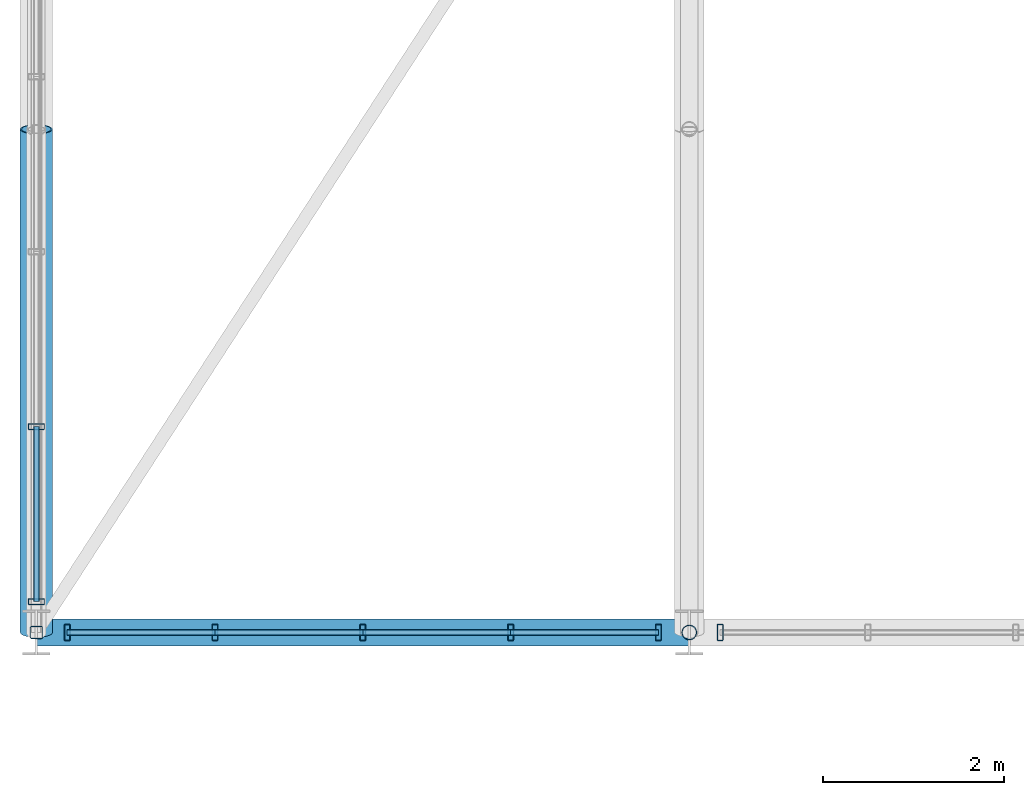
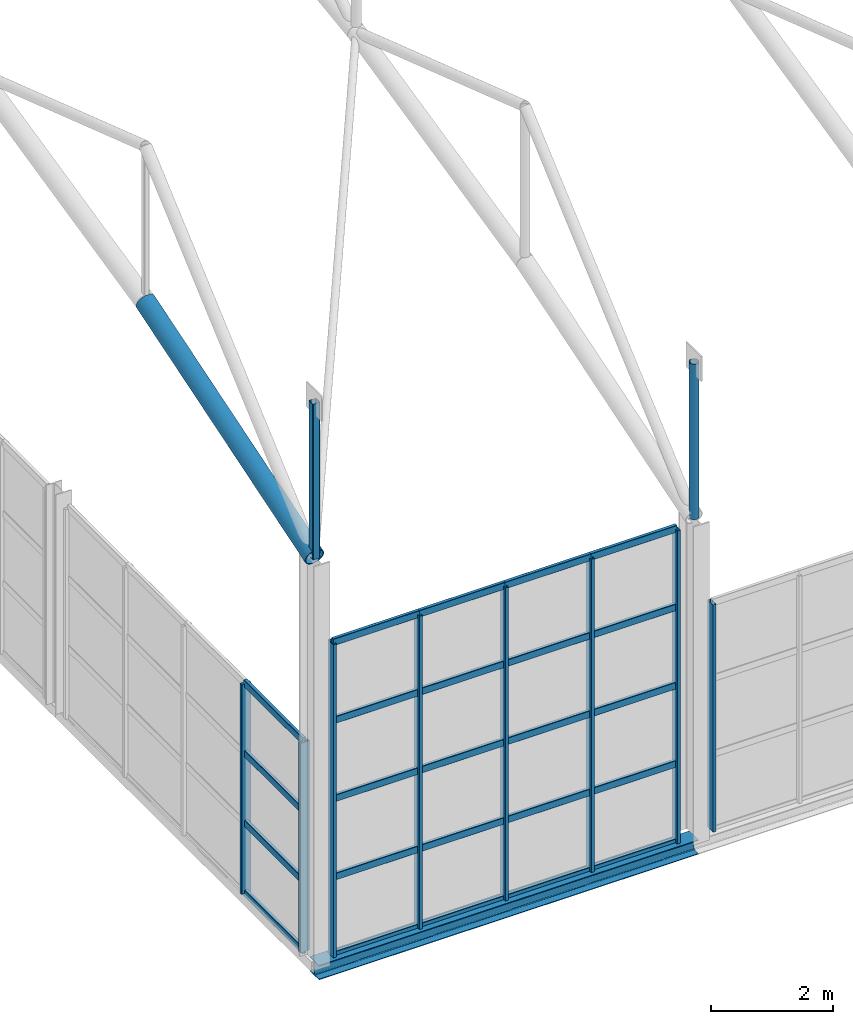
# One storey, part 16 of 153: 35 members, 1 beam, 3 elements without a shape of their own.
"""IFC4 building model written with IfcOpenShell, lengths in metres."""

import ifcopenshell
import ifcopenshell.guid

model = None  # the IFC model being written
_history = None  # IfcOwnerHistory: only IFC2X3 demands one
_inside = {}  # id of a spatial element -> (the spatial element, [elements in it])
_under = {}  # id of a project, library or spatial element -> (it, [spatial elements below it])
_declared = {}  # id of a project -> (the project, [libraries it declares])
_typed = {}  # id of a type object -> (the type object, [elements of that type])
_made_of = {}  # id of a material, layer set ... -> (it, [elements and type objects made of it])


def new_model(schema):
    """Start an empty IFC model of exactly this schema.

    Asked for "IFC4X3", IfcOpenShell would pick the latest addendum, in which some entities
    have other attributes; the version numbers below select the first issue.
    IFC2X3 requires an IfcOwnerHistory on every rooted entity: one is made here for all.
    """
    global model, _history
    if schema == "IFC4X3":
        model = ifcopenshell.file(schema_version=(4, 3, 0, 0))
    else:
        model = ifcopenshell.file(schema=schema)
    _inside.clear()
    _under.clear()
    _declared.clear()
    _typed.clear()
    _made_of.clear()
    _history = None
    if model.schema == "IFC2X3":
        org = make("IfcOrganization", Name="unknown")
        user = make(
            "IfcPersonAndOrganization",
            ThePerson=make("IfcPerson", FamilyName="unknown"),
            TheOrganization=org,
        )
        app = make(
            "IfcApplication",
            ApplicationDeveloper=org,
            Version="unknown",
            ApplicationFullName="unknown",
            ApplicationIdentifier="unknown",
        )
        _history = make(
            "IfcOwnerHistory",
            OwningUser=user,
            OwningApplication=app,
            ChangeAction="ADDED",
            CreationDate=0,
        )
    return model


def make(cls, **values):
    """One entity of the class cls with the attributes given. An attribute that is None is left unset."""
    return model.create_entity(
        cls, **{name: value for name, value in values.items() if value is not None}
    )


def rooted(cls, **values):
    """An entity with a GlobalId (a new one), such as an element, a storey or a relation."""
    return make(cls, GlobalId=ifcopenshell.guid.new(), OwnerHistory=_history, **values)


def si_unit(unit_type, name, prefix=None):
    """IfcSIUnit, for example si_unit("LENGTHUNIT", "METRE", prefix="MILLI")."""
    return make("IfcSIUnit", UnitType=unit_type, Prefix=prefix, Name=name)


def derived_unit(unit_type, elements):
    """IfcDerivedUnit: a product of units, each with its exponent."""
    return make(
        "IfcDerivedUnit",
        Elements=[
            make("IfcDerivedUnitElement", Unit=unit, Exponent=power)
            for unit, power in elements
        ],
        UnitType=unit_type,
    )


def assignment(units):
    """IfcUnitAssignment: the units of a project."""
    return None if units is None else make("IfcUnitAssignment", Units=units)


def point(xyz):
    """IfcCartesianPoint."""
    return None if xyz is None else make("IfcCartesianPoint", Coordinates=xyz)


def direction(xyz):
    """IfcDirection."""
    return None if xyz is None else make("IfcDirection", DirectionRatios=xyz)


def frame(location, z_axis=None, x_axis=None):
    """IfcAxis2Placement3D, a coordinate frame: its origin and axes. An axis left out is left unset."""
    return make(
        "IfcAxis2Placement3D",
        Location=point(location),
        Axis=direction(z_axis),
        RefDirection=direction(x_axis),
    )


def frame_2d(location, x_axis=None):
    """IfcAxis2Placement2D, a coordinate frame in the plane: its origin and x axis."""
    return make(
        "IfcAxis2Placement2D", Location=point(location), RefDirection=direction(x_axis)
    )


def origin():
    """The frame at (0, 0, 0) with its axes left unset."""
    return frame((0.0, 0.0, 0.0))


def origin_2d():
    """The frame at (0, 0) in the plane with its x axis left unset."""
    return frame_2d((0.0, 0.0))


def place(relative_to, where):
    """IfcLocalPlacement: puts the frame where relative to a parent placement (None: the world)."""
    return make(
        "IfcLocalPlacement", PlacementRelTo=relative_to, RelativePlacement=where
    )


def context(
    kind, dimensions, precision=None, world=None, true_north=None, identifier=None
):
    """IfcGeometricRepresentationContext, for example the 3D "Model" context."""
    return make(
        "IfcGeometricRepresentationContext",
        ContextIdentifier=identifier,
        ContextType=kind,
        CoordinateSpaceDimension=dimensions,
        Precision=precision,
        WorldCoordinateSystem=world,
        TrueNorth=true_north,
    )


def subcontext(parent, identifier, kind, view, scale=None):
    """IfcGeometricRepresentationSubContext, for example "Body" below "Model"."""
    return make(
        "IfcGeometricRepresentationSubContext",
        ContextIdentifier=identifier,
        ContextType=kind,
        ParentContext=parent,
        TargetScale=scale,
        TargetView=view,
    )


def project(units=None, contexts=None):
    """IfcProject with its units and contexts."""
    return rooted(
        "IfcProject",
        Name="project",
        RepresentationContexts=contexts,
        UnitsInContext=assignment(units),
    )


def spatial(cls, under=None, at=None, **own):
    """A site, building, storey or space (cls), placed at a placement, below another one or the project."""
    s = rooted(cls, ObjectPlacement=at, **own)
    if under is not None:
        _under.setdefault(under.id(), (under, []))[1].append(s)
    return s


def profile(cls, at=None, kind="AREA", **sizes):
    """A parametric profile (cls). Its sizes go by their IFC names, for example OverallWidth=200.0."""
    return make(cls, ProfileType=kind, Position=at, **sizes)


def hollow_rectangle(**sizes):
    """IfcRectangleHollowProfileDef."""
    return profile("IfcRectangleHollowProfileDef", **sizes)


def hollow_circle(**sizes):
    """IfcCircleHollowProfileDef."""
    return profile("IfcCircleHollowProfileDef", **sizes)


def i_section(**sizes):
    """IfcIShapeProfileDef."""
    return profile("IfcIShapeProfileDef", **sizes)


def extrude(swept, where, along, depth):
    """IfcExtrudedAreaSolid: the profile swept, set in the frame where, extruded along a direction by depth."""
    return make(
        "IfcExtrudedAreaSolid",
        SweptArea=swept,
        Position=where,
        ExtrudedDirection=direction(along),
        Depth=depth,
    )


def shape(context_of_items, identifier, shape_type, items):
    """IfcShapeRepresentation: the items that make up one representation, for example the "Body"."""
    return make(
        "IfcShapeRepresentation",
        ContextOfItems=context_of_items,
        RepresentationIdentifier=identifier,
        RepresentationType=shape_type,
        Items=items,
    )


def material(Name=None, Category=None):
    """IfcMaterial."""
    return make("IfcMaterial", Name=Name, Category=Category)


def material_profile(
    of_material, cross_section, Name=None, Category=None, Priority=None
):
    """IfcMaterialProfile: a cross section and its material."""
    return make(
        "IfcMaterialProfile",
        Name=Name,
        Material=of_material,
        Profile=cross_section,
        Priority=Priority,
        Category=Category,
    )


def profile_set(profiles, Name=None, composite=None):
    """IfcMaterialProfileSet."""
    return make(
        "IfcMaterialProfileSet",
        Name=Name,
        MaterialProfiles=profiles,
        CompositeProfile=composite,
    )


def made_of(thing, what):
    """Note that an element or type object is made of a material, layer set ...; save() writes the relation."""
    if what is not None:
        _made_of.setdefault(what.id(), (what, []))[1].append(thing)
    return thing


def type_object(cls, material=None, **own):
    """A type object (cls), such as IfcWallType, which elements share."""
    return made_of(rooted(cls, **own), material)


def element(
    cls,
    number,
    at=None,
    inside=None,
    cuts=None,
    type_object=None,
    material=None,
    context=None,
    identifier="Body",
    shape_type=None,
    held_by="IfcProductDefinitionShape",
    body=None,
    shapes=None,
    **own,
):
    """One element of the class cls, such as IfcWall. Its Tag is "e" and its number.

    at: its placement. inside: the storey or other place that contains it. cuts: it is an
    opening in that element (IfcRelVoidsElement). A single representation is given by context,
    identifier, shape_type and body (its items); several are given by shapes. held_by: the class
    of the entity that holds the representations. save() writes the other relations.
    """
    e = rooted(cls, Tag="e%d" % number, ObjectPlacement=at, **own)
    if body is not None:
        shapes = [shape(context, identifier, shape_type, body)]
    if shapes is not None:
        e.Representation = make(held_by, Representations=shapes)
    if inside is not None:
        _inside.setdefault(inside.id(), (inside, []))[1].append(e)
    if cuts is not None:
        rooted(
            "IfcRelVoidsElement", RelatingBuildingElement=cuts, RelatedOpeningElement=e
        )
    if type_object is not None:
        _typed.setdefault(type_object.id(), (type_object, []))[1].append(e)
    return made_of(e, material)


def aggregate(whole, parts):
    """IfcRelAggregates: a whole, such as a stair, and the parts it consists of."""
    return rooted("IfcRelAggregates", RelatingObject=whole, RelatedObjects=parts)


def save(model, path):
    """Write the relations noted so far, then the file.

    IfcRelAggregates (storeys below a building ...), IfcRelContainedInSpatialStructure (elements
    in a storey), IfcRelDefinesByType, IfcRelAssociatesMaterial and IfcRelDeclares: one each for
    every whole, place, type object, material and project.
    """
    for whole, parts in _under.values():
        aggregate(whole, parts)
    for where, things in _inside.values():
        rooted(
            "IfcRelContainedInSpatialStructure",
            RelatedElements=things,
            RelatingStructure=where,
        )
    for kind, things in _typed.values():
        rooted("IfcRelDefinesByType", RelatedObjects=things, RelatingType=kind)
    for what, things in _made_of.values():
        rooted("IfcRelAssociatesMaterial", RelatedObjects=things, RelatingMaterial=what)
    for by, libraries in _declared.values():
        rooted("IfcRelDeclares", RelatingContext=by, RelatedDefinitions=libraries)
    model.write(path)


model = new_model("IFC4")

# Units and contexts
model_context = context("Model", 3, precision=1e-05, world=origin(), true_north=direction((0.0, 1.0)))
body_context = subcontext(model_context, "Body", "Model", "MODEL_VIEW")
ifc_project = project(units=[si_unit("LENGTHUNIT", "METRE"), si_unit("AREAUNIT", "SQUARE_METRE"), si_unit("VOLUMEUNIT", "CUBIC_METRE"), si_unit("PLANEANGLEUNIT", "RADIAN"), si_unit("MASSUNIT", "GRAM", prefix="KILO"), derived_unit("THERMALTRANSMITTANCEUNIT", [(si_unit("POWERUNIT", "WATT"), 1), (si_unit("LENGTHUNIT", "METRE"), -2), (si_unit("THERMODYNAMICTEMPERATUREUNIT", "KELVIN"), -1)])], contexts=[model_context])

# Site, building, storey
site_placement = place(None, origin())
site = spatial("IfcSite", under=ifc_project, at=site_placement, CompositionType="ELEMENT")
building_placement = place(site_placement, origin())
building = spatial("IfcBuilding", under=site, at=building_placement, Name="Keldorne Ridge Multi-Sports Centre", CompositionType="ELEMENT")
storey_placement = place(building_placement, frame((0.0, 0.0, 9.60009765625)))
storey = spatial("IfcBuildingStorey", under=building, at=storey_placement, Name="L02", CompositionType="ELEMENT", Elevation=9.60009765625)

# Beam
ifc_material_1 = material(Name="Steel S355", Category="steel")
ifc_material_profile_1 = material_profile(ifc_material_1, i_section(OverallWidth=0.300048828125, OverallDepth=0.2900390625, WebThickness=0.008544921875, FlangeThickness=0.013916015625, FilletRadius=0.027099609375, at=origin_2d()), Name="HEA 300")
ifc_profile_set_1 = profile_set([ifc_material_profile_1], Name="Steel S355")
beam_type = type_object("IfcBeamType", Name="BM-SP-04", PredefinedType="SPANDREL", material=ifc_profile_set_1)
beam_placement = place(storey_placement, frame((6.0, 9.60009765625, -0.150146484375), z_axis=(1.0, 0.0, 0.0), x_axis=(0.0, 1.0, 0.0)))
element("IfcBeam", 1, at=beam_placement, inside=storey, type_object=beam_type, Name="Main Hall south spandrel L02.1", PredefinedType="SPANDREL", context=body_context, shape_type="SweptSolid", body=[
    extrude(i_section(OverallWidth=0.300048828125, OverallDepth=0.2900390625, WebThickness=0.008544921875, FlangeThickness=0.013916015625, FilletRadius=0.027099609375, at=origin_2d()), origin(), (0.0, 0.0, 1.0), 7.199951171875),
])

# Curtain wall, members
ifc_material_2 = material(Name="Anodized aluminium", Category="aluminium")
curtain_wall_type_1 = type_object("IfcCurtainWallType", Name="CW-CW-02", PredefinedType="NOTDEFINED", material=ifc_material_2)
curtain_wall_1_placement = place(storey_placement, origin())
curtain_wall_1 = element("IfcCurtainWall", 2, at=curtain_wall_1_placement, inside=storey, type_object=curtain_wall_type_1, Name="Main Hall south high clerestory 002", PredefinedType="NOTDEFINED")
ifc_material_profile_2 = material_profile(ifc_material_2, hollow_rectangle(XDim=0.06494140625, YDim=0.179931640625, WallThickness=0.00439453125, InnerFilletRadius=0.00439453125, OuterFilletRadius=0.009033203125, at=origin_2d()), Name="ALU MULLION 180x65x4.5")
ifc_profile_set_2 = profile_set([ifc_material_profile_2], Name="Anodized aluminium")
member_type_1 = type_object("IfcMemberType", Name="MEM-ML-01", PredefinedType="MULLION", material=ifc_profile_set_2)
member_1_placement = place(storey_placement, frame((6.340087890625, 9.60009765625, 0.0), z_axis=(0.0, 0.0, 1.0), x_axis=(1.0, 0.0, 0.0)))
member_1 = element("IfcMember", 3, at=member_1_placement, type_object=member_type_1, Name="CW-002 vertical mullion 1", PredefinedType="MULLION", context=body_context, shape_type="SweptSolid", body=[
    extrude(hollow_rectangle(XDim=0.06494140625, YDim=0.179931640625, WallThickness=0.00439453125, InnerFilletRadius=0.00439453125, OuterFilletRadius=0.009033203125, at=origin_2d()), origin(), (0.0, 0.0, 1.0), 6.27978515625),
])
member_2_placement = place(storey_placement, frame((7.969970703125, 9.60009765625, 0.0), z_axis=(0.0, 0.0, 1.0), x_axis=(1.0, 0.0, 0.0)))
member_2 = element("IfcMember", 4, at=member_2_placement, type_object=member_type_1, Name="CW-002 vertical mullion 2", PredefinedType="MULLION", context=body_context, shape_type="SweptSolid", body=[
    extrude(hollow_rectangle(XDim=0.06494140625, YDim=0.179931640625, WallThickness=0.00439453125, InnerFilletRadius=0.00439453125, OuterFilletRadius=0.009033203125, at=origin_2d()), origin(), (0.0, 0.0, 1.0), 6.27978515625),
])
member_3_placement = place(storey_placement, frame((9.60009765625, 9.60009765625, 0.0), z_axis=(0.0, 0.0, 1.0), x_axis=(1.0, 0.0, 0.0)))
member_3 = element("IfcMember", 5, at=member_3_placement, type_object=member_type_1, Name="CW-002 vertical mullion 3", PredefinedType="MULLION", context=body_context, shape_type="SweptSolid", body=[
    extrude(hollow_rectangle(XDim=0.06494140625, YDim=0.179931640625, WallThickness=0.00439453125, InnerFilletRadius=0.00439453125, OuterFilletRadius=0.009033203125, at=origin_2d()), origin(), (0.0, 0.0, 1.0), 6.27978515625),
])
member_4_placement = place(storey_placement, frame((11.22998046875, 9.60009765625, 0.0), z_axis=(0.0, 0.0, 1.0), x_axis=(1.0, 0.0, 0.0)))
member_4 = element("IfcMember", 6, at=member_4_placement, type_object=member_type_1, Name="CW-002 vertical mullion 4", PredefinedType="MULLION", context=body_context, shape_type="SweptSolid", body=[
    extrude(hollow_rectangle(XDim=0.06494140625, YDim=0.179931640625, WallThickness=0.00439453125, InnerFilletRadius=0.00439453125, OuterFilletRadius=0.009033203125, at=origin_2d()), origin(), (0.0, 0.0, 1.0), 6.27978515625),
])
member_5_placement = place(storey_placement, frame((12.860107421875, 9.60009765625, 0.0), z_axis=(0.0, 0.0, 1.0), x_axis=(1.0, 0.0, 0.0)))
member_5 = element("IfcMember", 7, at=member_5_placement, type_object=member_type_1, Name="CW-002 vertical mullion 5", PredefinedType="MULLION", context=body_context, shape_type="SweptSolid", body=[
    extrude(hollow_rectangle(XDim=0.06494140625, YDim=0.179931640625, WallThickness=0.00439453125, InnerFilletRadius=0.00439453125, OuterFilletRadius=0.009033203125, at=origin_2d()), origin(), (0.0, 0.0, 1.0), 6.27978515625),
])

# Curtain wall, member
curtain_wall_type_2 = type_object("IfcCurtainWallType", Name="CW-CW-05", PredefinedType="NOTDEFINED", material=ifc_material_2)
curtain_wall_2_placement = place(storey_placement, origin())
curtain_wall_2 = element("IfcCurtainWall", 8, at=curtain_wall_2_placement, inside=storey, type_object=curtain_wall_type_2, Name="Main Hall south high clerestory 005", PredefinedType="NOTDEFINED")
member_6_placement = place(storey_placement, frame((13.5400390625, 9.60009765625, 0.0), z_axis=(0.0, 0.0, 1.0), x_axis=(1.0, 0.0, 0.0)))
member_6 = element("IfcMember", 9, at=member_6_placement, type_object=member_type_1, Name="CW-005 vertical mullion 1", PredefinedType="MULLION", context=body_context, shape_type="SweptSolid", body=[
    extrude(hollow_rectangle(XDim=0.06494140625, YDim=0.179931640625, WallThickness=0.00439453125, InnerFilletRadius=0.00439453125, OuterFilletRadius=0.009033203125, at=origin_2d()), origin(), (0.0, 0.0, 1.0), 4.559814453125),
])
aggregate(curtain_wall_2, [member_6])

# Curtain wall, members
curtain_wall_3_placement = place(storey_placement, origin())
curtain_wall_3 = element("IfcCurtainWall", 10, at=curtain_wall_3_placement, inside=storey, type_object=curtain_wall_type_2, Name="Main Hall west high gable glazing 029", PredefinedType="NOTDEFINED")
member_7_placement = place(storey_placement, frame((6.0, 11.8701171875, 0.0), z_axis=(0.0, 0.0, 1.0), x_axis=(0.0, 1.0, 0.0)))
member_7 = element("IfcMember", 11, at=member_7_placement, type_object=member_type_1, Name="CW-029 vertical mullion 4", PredefinedType="MULLION", context=body_context, shape_type="SweptSolid", body=[
    extrude(hollow_rectangle(XDim=0.06494140625, YDim=0.179931640625, WallThickness=0.00439453125, InnerFilletRadius=0.00439453125, OuterFilletRadius=0.009033203125, at=origin_2d()), origin(), (0.0, 0.0, 1.0), 4.199951171875),
])
member_8_placement = place(storey_placement, frame((6.0, 9.93994140625, 0.0), z_axis=(0.0, 0.0, 1.0), x_axis=(0.0, 1.0, 0.0)))
member_8 = element("IfcMember", 12, at=member_8_placement, type_object=member_type_1, Name="CW-029 vertical mullion 5", PredefinedType="MULLION", context=body_context, shape_type="SweptSolid", body=[
    extrude(hollow_rectangle(XDim=0.06494140625, YDim=0.179931640625, WallThickness=0.00439453125, InnerFilletRadius=0.00439453125, OuterFilletRadius=0.009033203125, at=origin_2d()), origin(), (0.0, 0.0, 1.0), 4.199951171875),
])

# Member
ifc_material_profile_3 = material_profile(ifc_material_1, hollow_circle(Radius=0.177734375, WallThickness=0.01611328125, at=origin_2d()), Name="CHS 355.6x16")
ifc_profile_set_3 = profile_set([ifc_material_profile_3], Name="Steel S355")
member_type_2 = type_object("IfcMemberType", Name="MEM-TC-01", PredefinedType="CHORD", material=ifc_profile_set_3)
member_9_placement = place(storey_placement, frame((6.0, 9.60009765625, 8.099853515625), z_axis=(0.0, 0.953709395146, 0.300729761763), x_axis=(-1.0, 0.0, 0.0)))
element("IfcMember", 13, at=member_9_placement, inside=storey, type_object=member_type_2, Name="Main Hall ROOF TRUSS AT-01 bottom chord 1", PredefinedType="CHORD", context=body_context, shape_type="SweptSolid", body=[
    extrude(hollow_circle(Radius=0.177734375, WallThickness=0.01611328125, at=origin_2d()), origin(), (0.0, 0.0, 1.0), 5.819091796875),
])

ifc_material_profile_4 = material_profile(ifc_material_2, hollow_rectangle(XDim=0.06494140625, YDim=0.139892578125, WallThickness=0.00439453125, InnerFilletRadius=0.00439453125, OuterFilletRadius=0.009033203125, at=origin_2d()), Name="ALU TRANSOM 140x65x4.5")
ifc_profile_set_4 = profile_set([ifc_material_profile_4], Name="Anodized aluminium")
member_type_3 = type_object("IfcMemberType", Name="MEM-TR-01", PredefinedType="USERDEFINED", material=ifc_profile_set_4)
member_10_placement = place(storey_placement, frame((6.340087890625, 9.60009765625, 0.0), z_axis=(1.0, 0.0, 0.0), x_axis=(0.0, 1.0, 0.0)))
member_10 = element("IfcMember", 14, at=member_10_placement, type_object=member_type_3, Name="CW-002 transom 1.1", ObjectType="TRANSOM", PredefinedType="USERDEFINED", context=body_context, shape_type="SweptSolid", body=[
    extrude(hollow_rectangle(XDim=0.06494140625, YDim=0.139892578125, WallThickness=0.00439453125, InnerFilletRadius=0.00439453125, OuterFilletRadius=0.009033203125, at=origin_2d()), origin(), (0.0, 0.0, 1.0), 1.6298828125),
])

member_11_placement = place(storey_placement, frame((6.340087890625, 9.60009765625, 1.56982421875), z_axis=(1.0, 0.0, 0.0), x_axis=(0.0, 1.0, 0.0)))
member_11 = element("IfcMember", 15, at=member_11_placement, type_object=member_type_3, Name="CW-002 transom 1.2", ObjectType="TRANSOM", PredefinedType="USERDEFINED", context=body_context, shape_type="SweptSolid", body=[
    extrude(hollow_rectangle(XDim=0.06494140625, YDim=0.139892578125, WallThickness=0.00439453125, InnerFilletRadius=0.00439453125, OuterFilletRadius=0.009033203125, at=origin_2d()), origin(), (0.0, 0.0, 1.0), 1.6298828125),
])

member_12_placement = place(storey_placement, frame((6.340087890625, 9.60009765625, 3.139892578125), z_axis=(1.0, 0.0, 0.0), x_axis=(0.0, 1.0, 0.0)))
member_12 = element("IfcMember", 16, at=member_12_placement, type_object=member_type_3, Name="CW-002 transom 1.3", ObjectType="TRANSOM", PredefinedType="USERDEFINED", context=body_context, shape_type="SweptSolid", body=[
    extrude(hollow_rectangle(XDim=0.06494140625, YDim=0.139892578125, WallThickness=0.00439453125, InnerFilletRadius=0.00439453125, OuterFilletRadius=0.009033203125, at=origin_2d()), origin(), (0.0, 0.0, 1.0), 1.6298828125),
])

member_13_placement = place(storey_placement, frame((6.340087890625, 9.60009765625, 4.7099609375), z_axis=(1.0, 0.0, 0.0), x_axis=(0.0, 1.0, 0.0)))
member_13 = element("IfcMember", 17, at=member_13_placement, type_object=member_type_3, Name="CW-002 transom 1.4", ObjectType="TRANSOM", PredefinedType="USERDEFINED", context=body_context, shape_type="SweptSolid", body=[
    extrude(hollow_rectangle(XDim=0.06494140625, YDim=0.139892578125, WallThickness=0.00439453125, InnerFilletRadius=0.00439453125, OuterFilletRadius=0.009033203125, at=origin_2d()), origin(), (0.0, 0.0, 1.0), 1.6298828125),
])

member_14_placement = place(storey_placement, frame((6.340087890625, 9.60009765625, 6.27978515625), z_axis=(1.0, 0.0, 0.0), x_axis=(0.0, 1.0, 0.0)))
member_14 = element("IfcMember", 18, at=member_14_placement, type_object=member_type_3, Name="CW-002 transom 1.5", ObjectType="TRANSOM", PredefinedType="USERDEFINED", context=body_context, shape_type="SweptSolid", body=[
    extrude(hollow_rectangle(XDim=0.06494140625, YDim=0.139892578125, WallThickness=0.00439453125, InnerFilletRadius=0.00439453125, OuterFilletRadius=0.009033203125, at=origin_2d()), origin(), (0.0, 0.0, 1.0), 1.6298828125),
])

member_15_placement = place(storey_placement, frame((7.969970703125, 9.60009765625, 0.0), z_axis=(1.0, 0.0, 0.0), x_axis=(0.0, 1.0, 0.0)))
member_15 = element("IfcMember", 19, at=member_15_placement, type_object=member_type_3, Name="CW-002 transom 2.1", ObjectType="TRANSOM", PredefinedType="USERDEFINED", context=body_context, shape_type="SweptSolid", body=[
    extrude(hollow_rectangle(XDim=0.06494140625, YDim=0.139892578125, WallThickness=0.00439453125, InnerFilletRadius=0.00439453125, OuterFilletRadius=0.009033203125, at=origin_2d()), origin(), (0.0, 0.0, 1.0), 1.630126953125),
])

member_16_placement = place(storey_placement, frame((7.969970703125, 9.60009765625, 1.56982421875), z_axis=(1.0, 0.0, 0.0), x_axis=(0.0, 1.0, 0.0)))
member_16 = element("IfcMember", 20, at=member_16_placement, type_object=member_type_3, Name="CW-002 transom 2.2", ObjectType="TRANSOM", PredefinedType="USERDEFINED", context=body_context, shape_type="SweptSolid", body=[
    extrude(hollow_rectangle(XDim=0.06494140625, YDim=0.139892578125, WallThickness=0.00439453125, InnerFilletRadius=0.00439453125, OuterFilletRadius=0.009033203125, at=origin_2d()), origin(), (0.0, 0.0, 1.0), 1.630126953125),
])

member_17_placement = place(storey_placement, frame((7.969970703125, 9.60009765625, 3.139892578125), z_axis=(1.0, 0.0, 0.0), x_axis=(0.0, 1.0, 0.0)))
member_17 = element("IfcMember", 21, at=member_17_placement, type_object=member_type_3, Name="CW-002 transom 2.3", ObjectType="TRANSOM", PredefinedType="USERDEFINED", context=body_context, shape_type="SweptSolid", body=[
    extrude(hollow_rectangle(XDim=0.06494140625, YDim=0.139892578125, WallThickness=0.00439453125, InnerFilletRadius=0.00439453125, OuterFilletRadius=0.009033203125, at=origin_2d()), origin(), (0.0, 0.0, 1.0), 1.630126953125),
])

member_18_placement = place(storey_placement, frame((7.969970703125, 9.60009765625, 4.7099609375), z_axis=(1.0, 0.0, 0.0), x_axis=(0.0, 1.0, 0.0)))
member_18 = element("IfcMember", 22, at=member_18_placement, type_object=member_type_3, Name="CW-002 transom 2.4", ObjectType="TRANSOM", PredefinedType="USERDEFINED", context=body_context, shape_type="SweptSolid", body=[
    extrude(hollow_rectangle(XDim=0.06494140625, YDim=0.139892578125, WallThickness=0.00439453125, InnerFilletRadius=0.00439453125, OuterFilletRadius=0.009033203125, at=origin_2d()), origin(), (0.0, 0.0, 1.0), 1.630126953125),
])

member_19_placement = place(storey_placement, frame((7.969970703125, 9.60009765625, 6.27978515625), z_axis=(1.0, 0.0, 0.0), x_axis=(0.0, 1.0, 0.0)))
member_19 = element("IfcMember", 23, at=member_19_placement, type_object=member_type_3, Name="CW-002 transom 2.5", ObjectType="TRANSOM", PredefinedType="USERDEFINED", context=body_context, shape_type="SweptSolid", body=[
    extrude(hollow_rectangle(XDim=0.06494140625, YDim=0.139892578125, WallThickness=0.00439453125, InnerFilletRadius=0.00439453125, OuterFilletRadius=0.009033203125, at=origin_2d()), origin(), (0.0, 0.0, 1.0), 1.630126953125),
])

member_20_placement = place(storey_placement, frame((9.60009765625, 9.60009765625, 0.0), z_axis=(1.0, 0.0, 0.0), x_axis=(0.0, 1.0, 0.0)))
member_20 = element("IfcMember", 24, at=member_20_placement, type_object=member_type_3, Name="CW-002 transom 3.1", ObjectType="TRANSOM", PredefinedType="USERDEFINED", context=body_context, shape_type="SweptSolid", body=[
    extrude(hollow_rectangle(XDim=0.06494140625, YDim=0.139892578125, WallThickness=0.00439453125, InnerFilletRadius=0.00439453125, OuterFilletRadius=0.009033203125, at=origin_2d()), origin(), (0.0, 0.0, 1.0), 1.6298828125),
])

member_21_placement = place(storey_placement, frame((9.60009765625, 9.60009765625, 1.56982421875), z_axis=(1.0, 0.0, 0.0), x_axis=(0.0, 1.0, 0.0)))
member_21 = element("IfcMember", 25, at=member_21_placement, type_object=member_type_3, Name="CW-002 transom 3.2", ObjectType="TRANSOM", PredefinedType="USERDEFINED", context=body_context, shape_type="SweptSolid", body=[
    extrude(hollow_rectangle(XDim=0.06494140625, YDim=0.139892578125, WallThickness=0.00439453125, InnerFilletRadius=0.00439453125, OuterFilletRadius=0.009033203125, at=origin_2d()), origin(), (0.0, 0.0, 1.0), 1.6298828125),
])

member_22_placement = place(storey_placement, frame((9.60009765625, 9.60009765625, 3.139892578125), z_axis=(1.0, 0.0, 0.0), x_axis=(0.0, 1.0, 0.0)))
member_22 = element("IfcMember", 26, at=member_22_placement, type_object=member_type_3, Name="CW-002 transom 3.3", ObjectType="TRANSOM", PredefinedType="USERDEFINED", context=body_context, shape_type="SweptSolid", body=[
    extrude(hollow_rectangle(XDim=0.06494140625, YDim=0.139892578125, WallThickness=0.00439453125, InnerFilletRadius=0.00439453125, OuterFilletRadius=0.009033203125, at=origin_2d()), origin(), (0.0, 0.0, 1.0), 1.6298828125),
])

member_23_placement = place(storey_placement, frame((9.60009765625, 9.60009765625, 4.7099609375), z_axis=(1.0, 0.0, 0.0), x_axis=(0.0, 1.0, 0.0)))
member_23 = element("IfcMember", 27, at=member_23_placement, type_object=member_type_3, Name="CW-002 transom 3.4", ObjectType="TRANSOM", PredefinedType="USERDEFINED", context=body_context, shape_type="SweptSolid", body=[
    extrude(hollow_rectangle(XDim=0.06494140625, YDim=0.139892578125, WallThickness=0.00439453125, InnerFilletRadius=0.00439453125, OuterFilletRadius=0.009033203125, at=origin_2d()), origin(), (0.0, 0.0, 1.0), 1.6298828125),
])

member_24_placement = place(storey_placement, frame((9.60009765625, 9.60009765625, 6.27978515625), z_axis=(1.0, 0.0, 0.0), x_axis=(0.0, 1.0, 0.0)))
member_24 = element("IfcMember", 28, at=member_24_placement, type_object=member_type_3, Name="CW-002 transom 3.5", ObjectType="TRANSOM", PredefinedType="USERDEFINED", context=body_context, shape_type="SweptSolid", body=[
    extrude(hollow_rectangle(XDim=0.06494140625, YDim=0.139892578125, WallThickness=0.00439453125, InnerFilletRadius=0.00439453125, OuterFilletRadius=0.009033203125, at=origin_2d()), origin(), (0.0, 0.0, 1.0), 1.6298828125),
])

member_25_placement = place(storey_placement, frame((11.22998046875, 9.60009765625, 0.0), z_axis=(1.0, 0.0, 0.0), x_axis=(0.0, 1.0, 0.0)))
member_25 = element("IfcMember", 29, at=member_25_placement, type_object=member_type_3, Name="CW-002 transom 4.1", ObjectType="TRANSOM", PredefinedType="USERDEFINED", context=body_context, shape_type="SweptSolid", body=[
    extrude(hollow_rectangle(XDim=0.06494140625, YDim=0.139892578125, WallThickness=0.00439453125, InnerFilletRadius=0.00439453125, OuterFilletRadius=0.009033203125, at=origin_2d()), origin(), (0.0, 0.0, 1.0), 1.630126953125),
])

member_26_placement = place(storey_placement, frame((11.22998046875, 9.60009765625, 1.56982421875), z_axis=(1.0, 0.0, 0.0), x_axis=(0.0, 1.0, 0.0)))
member_26 = element("IfcMember", 30, at=member_26_placement, type_object=member_type_3, Name="CW-002 transom 4.2", ObjectType="TRANSOM", PredefinedType="USERDEFINED", context=body_context, shape_type="SweptSolid", body=[
    extrude(hollow_rectangle(XDim=0.06494140625, YDim=0.139892578125, WallThickness=0.00439453125, InnerFilletRadius=0.00439453125, OuterFilletRadius=0.009033203125, at=origin_2d()), origin(), (0.0, 0.0, 1.0), 1.630126953125),
])

member_27_placement = place(storey_placement, frame((11.22998046875, 9.60009765625, 3.139892578125), z_axis=(1.0, 0.0, 0.0), x_axis=(0.0, 1.0, 0.0)))
member_27 = element("IfcMember", 31, at=member_27_placement, type_object=member_type_3, Name="CW-002 transom 4.3", ObjectType="TRANSOM", PredefinedType="USERDEFINED", context=body_context, shape_type="SweptSolid", body=[
    extrude(hollow_rectangle(XDim=0.06494140625, YDim=0.139892578125, WallThickness=0.00439453125, InnerFilletRadius=0.00439453125, OuterFilletRadius=0.009033203125, at=origin_2d()), origin(), (0.0, 0.0, 1.0), 1.630126953125),
])

member_28_placement = place(storey_placement, frame((11.22998046875, 9.60009765625, 4.7099609375), z_axis=(1.0, 0.0, 0.0), x_axis=(0.0, 1.0, 0.0)))
member_28 = element("IfcMember", 32, at=member_28_placement, type_object=member_type_3, Name="CW-002 transom 4.4", ObjectType="TRANSOM", PredefinedType="USERDEFINED", context=body_context, shape_type="SweptSolid", body=[
    extrude(hollow_rectangle(XDim=0.06494140625, YDim=0.139892578125, WallThickness=0.00439453125, InnerFilletRadius=0.00439453125, OuterFilletRadius=0.009033203125, at=origin_2d()), origin(), (0.0, 0.0, 1.0), 1.630126953125),
])

member_29_placement = place(storey_placement, frame((11.22998046875, 9.60009765625, 6.27978515625), z_axis=(1.0, 0.0, 0.0), x_axis=(0.0, 1.0, 0.0)))
member_29 = element("IfcMember", 33, at=member_29_placement, type_object=member_type_3, Name="CW-002 transom 4.5", ObjectType="TRANSOM", PredefinedType="USERDEFINED", context=body_context, shape_type="SweptSolid", body=[
    extrude(hollow_rectangle(XDim=0.06494140625, YDim=0.139892578125, WallThickness=0.00439453125, InnerFilletRadius=0.00439453125, OuterFilletRadius=0.009033203125, at=origin_2d()), origin(), (0.0, 0.0, 1.0), 1.630126953125),
])

aggregate(curtain_wall_1, [member_1, member_2, member_3, member_4, member_5, member_10, member_11, member_12, member_13, member_14, member_15, member_16, member_17, member_18, member_19, member_20, member_21, member_22, member_23, member_24, member_25, member_26, member_27, member_28, member_29])

member_30_placement = place(storey_placement, frame((6.0, 11.8701171875, 0.0), z_axis=(0.0, -1.0, 0.0), x_axis=(1.0, 0.0, 0.0)))
member_30 = element("IfcMember", 34, at=member_30_placement, type_object=member_type_3, Name="CW-029 transom 4.1", ObjectType="TRANSOM", PredefinedType="USERDEFINED", context=body_context, shape_type="SweptSolid", body=[
    extrude(hollow_rectangle(XDim=0.06494140625, YDim=0.139892578125, WallThickness=0.00439453125, InnerFilletRadius=0.00439453125, OuterFilletRadius=0.009033203125, at=origin_2d()), origin(), (0.0, 0.0, 1.0), 1.93017578125),
])

member_31_placement = place(storey_placement, frame((6.0, 11.8701171875, 1.39990234375), z_axis=(0.0, -1.0, 0.0), x_axis=(1.0, 0.0, 0.0)))
member_31 = element("IfcMember", 35, at=member_31_placement, type_object=member_type_3, Name="CW-029 transom 4.2", ObjectType="TRANSOM", PredefinedType="USERDEFINED", context=body_context, shape_type="SweptSolid", body=[
    extrude(hollow_rectangle(XDim=0.06494140625, YDim=0.139892578125, WallThickness=0.00439453125, InnerFilletRadius=0.00439453125, OuterFilletRadius=0.009033203125, at=origin_2d()), origin(), (0.0, 0.0, 1.0), 1.93017578125),
])

member_32_placement = place(storey_placement, frame((6.0, 11.8701171875, 2.7998046875), z_axis=(0.0, -1.0, 0.0), x_axis=(1.0, 0.0, 0.0)))
member_32 = element("IfcMember", 36, at=member_32_placement, type_object=member_type_3, Name="CW-029 transom 4.3", ObjectType="TRANSOM", PredefinedType="USERDEFINED", context=body_context, shape_type="SweptSolid", body=[
    extrude(hollow_rectangle(XDim=0.06494140625, YDim=0.139892578125, WallThickness=0.00439453125, InnerFilletRadius=0.00439453125, OuterFilletRadius=0.009033203125, at=origin_2d()), origin(), (0.0, 0.0, 1.0), 1.93017578125),
])

member_33_placement = place(storey_placement, frame((6.0, 11.8701171875, 4.199951171875), z_axis=(0.0, -1.0, 0.0), x_axis=(1.0, 0.0, 0.0)))
member_33 = element("IfcMember", 37, at=member_33_placement, type_object=member_type_3, Name="CW-029 transom 4.4", ObjectType="TRANSOM", PredefinedType="USERDEFINED", context=body_context, shape_type="SweptSolid", body=[
    extrude(hollow_rectangle(XDim=0.06494140625, YDim=0.139892578125, WallThickness=0.00439453125, InnerFilletRadius=0.00439453125, OuterFilletRadius=0.009033203125, at=origin_2d()), origin(), (0.0, 0.0, 1.0), 1.93017578125),
])

aggregate(curtain_wall_3, [member_7, member_8, member_30, member_31, member_32, member_33])

# Members
ifc_material_profile_5 = material_profile(ifc_material_1, hollow_circle(Radius=0.084228515625, WallThickness=0.010009765625, at=origin_2d()), Name="CHS 168.3x10")
ifc_profile_set_5 = profile_set([ifc_material_profile_5], Name="Steel S355")
member_type_4 = type_object("IfcMemberType", Name="MEM-TV-01", PredefinedType="STRUT", material=ifc_profile_set_5)
member_34_placement = place(storey_placement, frame((13.199951171875, 9.60009765625, 6.3798828125), z_axis=(0.0, 0.0, 1.0), x_axis=(1.0, 0.0, 0.0)))
element("IfcMember", 38, at=member_34_placement, inside=storey, type_object=member_type_4, Name="Main Hall ROOF TRUSS AT-02 vertical 1", PredefinedType="STRUT", context=body_context, shape_type="SweptSolid", body=[
    extrude(hollow_circle(Radius=0.084228515625, WallThickness=0.010009765625, at=origin_2d()), origin(), (0.0, 0.0, 1.0), 3.1201171875),
])
ifc_material_profile_6 = material_profile(ifc_material_1, hollow_rectangle(XDim=0.139892578125, YDim=0.139892578125, WallThickness=0.008056640625, InnerFilletRadius=0.008056640625, OuterFilletRadius=0.01611328125, at=origin_2d()), Name="SHS 140x140x8")
ifc_profile_set_6 = profile_set([ifc_material_profile_6], Name="Steel S355")
member_type_5 = type_object("IfcMemberType", Name="MEM-TV-04", PredefinedType="STRUT", material=ifc_profile_set_6)
member_35_placement = place(storey_placement, frame((6.0, 9.60009765625, 8.099853515625), z_axis=(0.0, 0.0, 1.0), x_axis=(1.0, 0.0, 0.0)))
element("IfcMember", 39, at=member_35_placement, inside=storey, type_object=member_type_5, Name="Main Hall ROOF TRUSS AT-01 vertical 1", PredefinedType="STRUT", context=body_context, shape_type="SweptSolid", body=[
    extrude(hollow_rectangle(XDim=0.139892578125, YDim=0.139892578125, WallThickness=0.008056640625, InnerFilletRadius=0.008056640625, OuterFilletRadius=0.01611328125, at=origin_2d()), origin(), (0.0, 0.0, 1.0), 3.1201171875),
])

save(model, "model.ifc")
